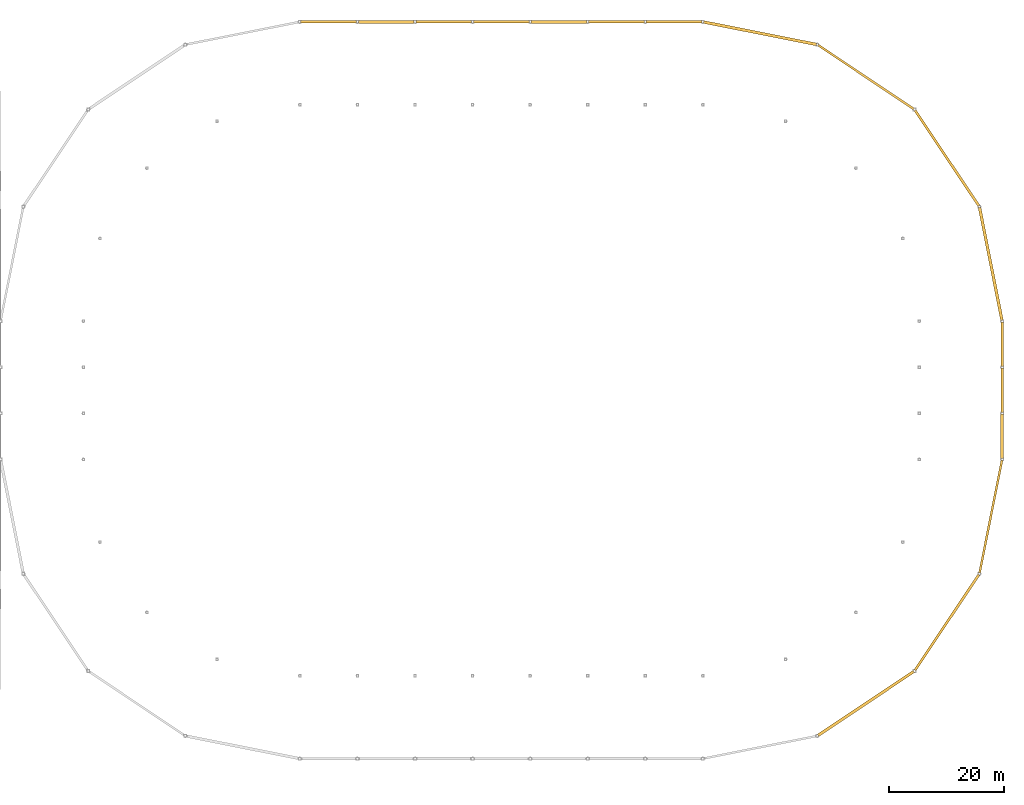
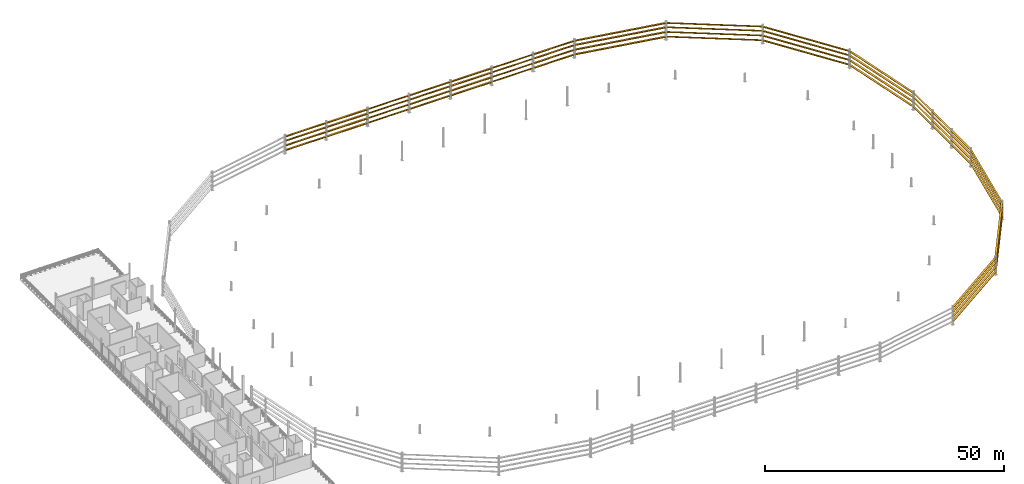
# One storey, part 29 of 29: 68 shading devices.
"""IFC4 building model written with IfcOpenShell, lengths in metres."""

import ifcopenshell
import ifcopenshell.guid

model = None  # the IFC model being written
_history = None  # IfcOwnerHistory: only IFC2X3 demands one
_inside = {}  # id of a spatial element -> (the spatial element, [elements in it])
_under = {}  # id of a project, library or spatial element -> (it, [spatial elements below it])
_declared = {}  # id of a project -> (the project, [libraries it declares])
_typed = {}  # id of a type object -> (the type object, [elements of that type])
_made_of = {}  # id of a material, layer set ... -> (it, [elements and type objects made of it])


def new_model(schema):
    """Start an empty IFC model of exactly this schema.

    Asked for "IFC4X3", IfcOpenShell would pick the latest addendum, in which some entities
    have other attributes; the version numbers below select the first issue.
    IFC2X3 requires an IfcOwnerHistory on every rooted entity: one is made here for all.
    """
    global model, _history
    if schema == "IFC4X3":
        model = ifcopenshell.file(schema_version=(4, 3, 0, 0))
    else:
        model = ifcopenshell.file(schema=schema)
    _inside.clear()
    _under.clear()
    _declared.clear()
    _typed.clear()
    _made_of.clear()
    _history = None
    if model.schema == "IFC2X3":
        org = make("IfcOrganization", Name="unknown")
        user = make(
            "IfcPersonAndOrganization",
            ThePerson=make("IfcPerson", FamilyName="unknown"),
            TheOrganization=org,
        )
        app = make(
            "IfcApplication",
            ApplicationDeveloper=org,
            Version="unknown",
            ApplicationFullName="unknown",
            ApplicationIdentifier="unknown",
        )
        _history = make(
            "IfcOwnerHistory",
            OwningUser=user,
            OwningApplication=app,
            ChangeAction="ADDED",
            CreationDate=0,
        )
    return model


def make(cls, **values):
    """One entity of the class cls with the attributes given. An attribute that is None is left unset."""
    return model.create_entity(
        cls, **{name: value for name, value in values.items() if value is not None}
    )


def rooted(cls, **values):
    """An entity with a GlobalId (a new one), such as an element, a storey or a relation."""
    return make(cls, GlobalId=ifcopenshell.guid.new(), OwnerHistory=_history, **values)


def si_unit(unit_type, name, prefix=None):
    """IfcSIUnit, for example si_unit("LENGTHUNIT", "METRE", prefix="MILLI")."""
    return make("IfcSIUnit", UnitType=unit_type, Prefix=prefix, Name=name)


def assignment(units):
    """IfcUnitAssignment: the units of a project."""
    return None if units is None else make("IfcUnitAssignment", Units=units)


def point(xyz):
    """IfcCartesianPoint."""
    return None if xyz is None else make("IfcCartesianPoint", Coordinates=xyz)


def direction(xyz):
    """IfcDirection."""
    return None if xyz is None else make("IfcDirection", DirectionRatios=xyz)


def frame(location, z_axis=None, x_axis=None):
    """IfcAxis2Placement3D, a coordinate frame: its origin and axes. An axis left out is left unset."""
    return make(
        "IfcAxis2Placement3D",
        Location=point(location),
        Axis=direction(z_axis),
        RefDirection=direction(x_axis),
    )


def frame_2d(location, x_axis=None):
    """IfcAxis2Placement2D, a coordinate frame in the plane: its origin and x axis."""
    return make(
        "IfcAxis2Placement2D", Location=point(location), RefDirection=direction(x_axis)
    )


def origin():
    """The frame at (0, 0, 0) with its axes left unset."""
    return frame((0.0, 0.0, 0.0))


def origin_2d():
    """The frame at (0, 0) in the plane with its x axis left unset."""
    return frame_2d((0.0, 0.0))


def place(relative_to, where):
    """IfcLocalPlacement: puts the frame where relative to a parent placement (None: the world)."""
    return make(
        "IfcLocalPlacement", PlacementRelTo=relative_to, RelativePlacement=where
    )


def context(
    kind, dimensions, precision=None, world=None, true_north=None, identifier=None
):
    """IfcGeometricRepresentationContext, for example the 3D "Model" context."""
    return make(
        "IfcGeometricRepresentationContext",
        ContextIdentifier=identifier,
        ContextType=kind,
        CoordinateSpaceDimension=dimensions,
        Precision=precision,
        WorldCoordinateSystem=world,
        TrueNorth=true_north,
    )


def subcontext(parent, identifier, kind, view, scale=None):
    """IfcGeometricRepresentationSubContext, for example "Body" below "Model"."""
    return make(
        "IfcGeometricRepresentationSubContext",
        ContextIdentifier=identifier,
        ContextType=kind,
        ParentContext=parent,
        TargetScale=scale,
        TargetView=view,
    )


def project(units=None, contexts=None):
    """IfcProject with its units and contexts."""
    return rooted(
        "IfcProject",
        Name="project",
        RepresentationContexts=contexts,
        UnitsInContext=assignment(units),
    )


def spatial(cls, under=None, at=None, **own):
    """A site, building, storey or space (cls), placed at a placement, below another one or the project."""
    s = rooted(cls, ObjectPlacement=at, **own)
    if under is not None:
        _under.setdefault(under.id(), (under, []))[1].append(s)
    return s


def profile(cls, at=None, kind="AREA", **sizes):
    """A parametric profile (cls). Its sizes go by their IFC names, for example OverallWidth=200.0."""
    return make(cls, ProfileType=kind, Position=at, **sizes)


def rectangle(**sizes):
    """IfcRectangleProfileDef."""
    return profile("IfcRectangleProfileDef", **sizes)


def extrude(swept, where, along, depth):
    """IfcExtrudedAreaSolid: the profile swept, set in the frame where, extruded along a direction by depth."""
    return make(
        "IfcExtrudedAreaSolid",
        SweptArea=swept,
        Position=where,
        ExtrudedDirection=direction(along),
        Depth=depth,
    )


def shape(context_of_items, identifier, shape_type, items):
    """IfcShapeRepresentation: the items that make up one representation, for example the "Body"."""
    return make(
        "IfcShapeRepresentation",
        ContextOfItems=context_of_items,
        RepresentationIdentifier=identifier,
        RepresentationType=shape_type,
        Items=items,
    )


def material(Name=None, Category=None):
    """IfcMaterial."""
    return make("IfcMaterial", Name=Name, Category=Category)


def made_of(thing, what):
    """Note that an element or type object is made of a material, layer set ...; save() writes the relation."""
    if what is not None:
        _made_of.setdefault(what.id(), (what, []))[1].append(thing)
    return thing


def type_object(cls, material=None, **own):
    """A type object (cls), such as IfcWallType, which elements share."""
    return made_of(rooted(cls, **own), material)


def element(
    cls,
    number,
    at=None,
    inside=None,
    cuts=None,
    type_object=None,
    material=None,
    context=None,
    identifier="Body",
    shape_type=None,
    held_by="IfcProductDefinitionShape",
    body=None,
    shapes=None,
    **own,
):
    """One element of the class cls, such as IfcWall. Its Tag is "e" and its number.

    at: its placement. inside: the storey or other place that contains it. cuts: it is an
    opening in that element (IfcRelVoidsElement). A single representation is given by context,
    identifier, shape_type and body (its items); several are given by shapes. held_by: the class
    of the entity that holds the representations. save() writes the other relations.
    """
    e = rooted(cls, Tag="e%d" % number, ObjectPlacement=at, **own)
    if body is not None:
        shapes = [shape(context, identifier, shape_type, body)]
    if shapes is not None:
        e.Representation = make(held_by, Representations=shapes)
    if inside is not None:
        _inside.setdefault(inside.id(), (inside, []))[1].append(e)
    if cuts is not None:
        rooted(
            "IfcRelVoidsElement", RelatingBuildingElement=cuts, RelatedOpeningElement=e
        )
    if type_object is not None:
        _typed.setdefault(type_object.id(), (type_object, []))[1].append(e)
    return made_of(e, material)


def aggregate(whole, parts):
    """IfcRelAggregates: a whole, such as a stair, and the parts it consists of."""
    return rooted("IfcRelAggregates", RelatingObject=whole, RelatedObjects=parts)


def save(model, path):
    """Write the relations noted so far, then the file.

    IfcRelAggregates (storeys below a building ...), IfcRelContainedInSpatialStructure (elements
    in a storey), IfcRelDefinesByType, IfcRelAssociatesMaterial and IfcRelDeclares: one each for
    every whole, place, type object, material and project.
    """
    for whole, parts in _under.values():
        aggregate(whole, parts)
    for where, things in _inside.values():
        rooted(
            "IfcRelContainedInSpatialStructure",
            RelatedElements=things,
            RelatingStructure=where,
        )
    for kind, things in _typed.values():
        rooted("IfcRelDefinesByType", RelatedObjects=things, RelatingType=kind)
    for what, things in _made_of.values():
        rooted("IfcRelAssociatesMaterial", RelatedObjects=things, RelatingMaterial=what)
    for by, libraries in _declared.values():
        rooted("IfcRelDeclares", RelatingContext=by, RelatedDefinitions=libraries)
    model.write(path)


model = new_model("IFC4")

# Units and contexts
model_context = context("Model", 3, precision=1e-05, world=origin(), true_north=direction((0.0, 1.0)))
body_context = subcontext(model_context, "Body", "Model", "MODEL_VIEW")
ifc_project = project(units=[si_unit("LENGTHUNIT", "METRE"), si_unit("AREAUNIT", "SQUARE_METRE"), si_unit("VOLUMEUNIT", "CUBIC_METRE"), si_unit("PLANEANGLEUNIT", "RADIAN"), si_unit("MASSUNIT", "GRAM", prefix="KILO")], contexts=[model_context])

# Site, building, storey
site_placement = place(None, origin())
site = spatial("IfcSite", under=ifc_project, at=site_placement, CompositionType="ELEMENT")
building_placement = place(site_placement, origin())
building = spatial("IfcBuilding", under=site, at=building_placement, Name="Candeia Ridge Stadium", CompositionType="ELEMENT")
storey_placement = place(building_placement, frame((0.0, 0.0, 27.0)))
storey = spatial("IfcBuildingStorey", under=building, at=storey_placement, Name="L05", CompositionType="ELEMENT", Elevation=27.0)

# Shading devices
ifc_material = material(Name="Aluminium Anodized Warm Bronze", Category="aluminium")
shading_device_type_1 = type_object("IfcShadingDeviceType", Name="Weathered Bronze Horizontal Solar Rib 380x85", PredefinedType="JALOUSIE", material=ifc_material)
for number, where, z_axis, x_axis, name in (
    (1, (126.0, 147.0, 0.757568359375), (0.0, 0.0, 1.0), (-1.0, 0.0, 0.0), "Upper bowl horizontal solar rib L05 bay 02-1"),
    (2, (126.0, 147.0, 1.95751953125), (0.0, 0.0, 1.0), (-1.0, 0.0, 0.0), "Upper bowl horizontal solar rib L05 bay 02-2"),
    (3, (126.0, 147.0, 3.157470703125), (0.0, 0.0, 1.0), (-1.0, 0.0, 0.0), "Upper bowl horizontal solar rib L05 bay 02-3"),
    (4, (126.0, 147.0, 4.257568359375), (0.0, 0.0, 1.0), (-1.0, 0.0, 0.0), "Upper bowl horizontal solar rib L05 bay 02-4"),
    (5, (96.0, 147.0, 0.757568359375), (0.0, 0.0, 1.0), (-1.0, 0.0, 0.0), "Upper bowl horizontal solar rib L05 bay 05-1"),
    (6, (96.0, 147.0, 1.95751953125), (0.0, 0.0, 1.0), (-1.0, 0.0, 0.0), "Upper bowl horizontal solar rib L05 bay 05-2"),
    (7, (96.0, 147.0, 3.157470703125), (0.0, 0.0, 1.0), (-1.0, 0.0, 0.0), "Upper bowl horizontal solar rib L05 bay 05-3"),
    (8, (96.0, 147.0, 4.257568359375), (0.0, 0.0, 1.0), (-1.0, 0.0, 0.0), "Upper bowl horizontal solar rib L05 bay 05-4"),
):
    element("IfcShadingDevice", number, at=place(storey_placement, frame(where, z_axis=z_axis, x_axis=x_axis)), inside=storey, type_object=shading_device_type_1, Name=name, PredefinedType="JALOUSIE", context=body_context, shape_type="SweptSolid", body=[
        extrude(rectangle(XDim=9.699951171875, YDim=0.3798828125, at=origin_2d()), origin(), (0.0, 0.0, 1.0), 0.0849609375),
    ])
for number, where, z_axis, x_axis, name in (
    (9, (191.020751953125, 61.05029296875, 0.757568359375), (0.0, 0.0, 1.0), (0.195090311899, 0.980785282416, 0.0), "Upper bowl horizontal solar rib L05 bay 29-1"),
    (10, (191.020751953125, 61.05029296875, 1.95751953125), (0.0, 0.0, 1.0), (0.195090311899, 0.980785282416, 0.0), "Upper bowl horizontal solar rib L05 bay 29-2"),
    (11, (191.020751953125, 61.05029296875, 3.157470703125), (0.0, 0.0, 1.0), (0.195090311899, 0.980785282416, 0.0), "Upper bowl horizontal solar rib L05 bay 29-3"),
    (12, (191.020751953125, 61.05029296875, 4.257568359375), (0.0, 0.0, 1.0), (0.195090311899, 0.980785282416, 0.0), "Upper bowl horizontal solar rib L05 bay 29-4"),
):
    element("IfcShadingDevice", number, at=place(storey_placement, frame(where, z_axis=z_axis, x_axis=x_axis)), inside=storey, type_object=shading_device_type_1, Name=name, PredefinedType="JALOUSIE", context=body_context, shape_type="SweptSolid", body=[
        extrude(rectangle(XDim=19.989501953125, YDim=0.3798828125, at=origin_2d()), origin(), (0.0, 0.0, 1.0), 0.0849609375),
    ])
for number, where, z_axis, x_axis, name in (
    (13, (193.0, 91.0, 0.757568359375), (0.0, 0.0, 1.0), (0.0, 1.0, 0.0), "Upper bowl horizontal solar rib L05 bay 32-1"),
    (14, (193.0, 91.0, 1.95751953125), (0.0, 0.0, 1.0), (0.0, 1.0, 0.0), "Upper bowl horizontal solar rib L05 bay 32-2"),
    (15, (193.0, 91.0, 3.157470703125), (0.0, 0.0, 1.0), (0.0, 1.0, 0.0), "Upper bowl horizontal solar rib L05 bay 32-3"),
    (16, (193.0, 91.0, 4.257568359375), (0.0, 0.0, 1.0), (0.0, 1.0, 0.0), "Upper bowl horizontal solar rib L05 bay 32-4"),
):
    element("IfcShadingDevice", number, at=place(storey_placement, frame(where, z_axis=z_axis, x_axis=x_axis)), inside=storey, type_object=shading_device_type_1, Name=name, PredefinedType="JALOUSIE", context=body_context, shape_type="SweptSolid", body=[
        extrude(rectangle(XDim=7.699951171875, YDim=0.3798828125, at=origin_2d()), origin(), (0.0, 0.0, 1.0), 0.0849609375),
    ])
for number, where, z_axis, x_axis, name in (
    (17, (169.33447265625, 137.40576171875, 0.757568359375), (0.0, 0.0, 1.0), (-0.831469626973, 0.555570211063, 0.0), "Upper bowl horizontal solar rib L05 bay 35-1"),
    (18, (169.33447265625, 137.40576171875, 1.95751953125), (0.0, 0.0, 1.0), (-0.831469626973, 0.555570211063, 0.0), "Upper bowl horizontal solar rib L05 bay 35-2"),
    (19, (169.33447265625, 137.40576171875, 3.157470703125), (0.0, 0.0, 1.0), (-0.831469626973, 0.555570211063, 0.0), "Upper bowl horizontal solar rib L05 bay 35-3"),
    (20, (169.33447265625, 137.40576171875, 4.257568359375), (0.0, 0.0, 1.0), (-0.831469626973, 0.555570211063, 0.0), "Upper bowl horizontal solar rib L05 bay 35-4"),
):
    element("IfcShadingDevice", number, at=place(storey_placement, frame(where, z_axis=z_axis, x_axis=x_axis)), inside=storey, type_object=shading_device_type_1, Name=name, PredefinedType="JALOUSIE", context=body_context, shape_type="SweptSolid", body=[
        extrude(rectangle(XDim=19.989501953125, YDim=0.3798828125, at=origin_2d()), origin(), (0.0, 0.0, 1.0), 0.0849609375),
    ])
shading_device_type_2 = type_object("IfcShadingDeviceType", Name="Weathered Bronze Horizontal Solar Rib 440x95", PredefinedType="JALOUSIE", material=ifc_material)
for number, where, z_axis, x_axis, name in (
    (21, (136.0, 147.0, 0.75244140625), (0.0, 0.0, 1.0), (-1.0, 0.0, 0.0), "Upper bowl horizontal solar rib L05 bay 01-1"),
    (22, (136.0, 147.0, 1.95263671875), (0.0, 0.0, 1.0), (-1.0, 0.0, 0.0), "Upper bowl horizontal solar rib L05 bay 01-2"),
    (23, (136.0, 147.0, 3.15234375), (0.0, 0.0, 1.0), (-1.0, 0.0, 0.0), "Upper bowl horizontal solar rib L05 bay 01-3"),
    (24, (136.0, 147.0, 4.25244140625), (0.0, 0.0, 1.0), (-1.0, 0.0, 0.0), "Upper bowl horizontal solar rib L05 bay 01-4"),
    (25, (106.0, 147.0, 0.75244140625), (0.0, 0.0, 1.0), (-1.0, 0.0, 0.0), "Upper bowl horizontal solar rib L05 bay 04-1"),
    (26, (106.0, 147.0, 1.95263671875), (0.0, 0.0, 1.0), (-1.0, 0.0, 0.0), "Upper bowl horizontal solar rib L05 bay 04-2"),
    (27, (106.0, 147.0, 3.15234375), (0.0, 0.0, 1.0), (-1.0, 0.0, 0.0), "Upper bowl horizontal solar rib L05 bay 04-3"),
    (28, (106.0, 147.0, 4.25244140625), (0.0, 0.0, 1.0), (-1.0, 0.0, 0.0), "Upper bowl horizontal solar rib L05 bay 04-4"),
    (29, (76.0, 147.0, 0.75244140625), (0.0, 0.0, 1.0), (-1.0, 0.0, 0.0), "Upper bowl horizontal solar rib L05 bay 07-1"),
    (30, (76.0, 147.0, 1.95263671875), (0.0, 0.0, 1.0), (-1.0, 0.0, 0.0), "Upper bowl horizontal solar rib L05 bay 07-2"),
    (31, (76.0, 147.0, 3.15234375), (0.0, 0.0, 1.0), (-1.0, 0.0, 0.0), "Upper bowl horizontal solar rib L05 bay 07-3"),
    (32, (76.0, 147.0, 4.25244140625), (0.0, 0.0, 1.0), (-1.0, 0.0, 0.0), "Upper bowl horizontal solar rib L05 bay 07-4"),
):
    element("IfcShadingDevice", number, at=place(storey_placement, frame(where, z_axis=z_axis, x_axis=x_axis)), inside=storey, type_object=shading_device_type_2, Name=name, PredefinedType="JALOUSIE", context=body_context, shape_type="SweptSolid", body=[
        extrude(rectangle(XDim=9.699951171875, YDim=0.43994140625, at=origin_2d()), origin(), (0.0, 0.0, 1.0), 0.094970703125),
    ])
for number, where, z_axis, x_axis, name in (
    (33, (183.40576171875, 42.66552734375, 0.75244140625), (0.0, 0.0, 1.0), (0.555570211063, 0.831469626973, 0.0), "Upper bowl horizontal solar rib L05 bay 28-1"),
    (34, (183.40576171875, 42.66552734375, 1.95263671875), (0.0, 0.0, 1.0), (0.555570211063, 0.831469626973, 0.0), "Upper bowl horizontal solar rib L05 bay 28-2"),
    (35, (183.40576171875, 42.66552734375, 3.15234375), (0.0, 0.0, 1.0), (0.555570211063, 0.831469626973, 0.0), "Upper bowl horizontal solar rib L05 bay 28-3"),
    (36, (183.40576171875, 42.66552734375, 4.25244140625), (0.0, 0.0, 1.0), (0.555570211063, 0.831469626973, 0.0), "Upper bowl horizontal solar rib L05 bay 28-4"),
):
    element("IfcShadingDevice", number, at=place(storey_placement, frame(where, z_axis=z_axis, x_axis=x_axis)), inside=storey, type_object=shading_device_type_2, Name=name, PredefinedType="JALOUSIE", context=body_context, shape_type="SweptSolid", body=[
        extrude(rectangle(XDim=19.989501953125, YDim=0.43994140625, at=origin_2d()), origin(), (0.0, 0.0, 1.0), 0.094970703125),
    ])
for number, where, z_axis, x_axis, name in (
    (37, (193.0, 83.0, 0.75244140625), (0.0, 0.0, 1.0), (0.0, 1.0, 0.0), "Upper bowl horizontal solar rib L05 bay 31-1"),
    (38, (193.0, 83.0, 1.95263671875), (0.0, 0.0, 1.0), (0.0, 1.0, 0.0), "Upper bowl horizontal solar rib L05 bay 31-2"),
    (39, (193.0, 83.0, 3.15234375), (0.0, 0.0, 1.0), (0.0, 1.0, 0.0), "Upper bowl horizontal solar rib L05 bay 31-3"),
    (40, (193.0, 83.0, 4.25244140625), (0.0, 0.0, 1.0), (0.0, 1.0, 0.0), "Upper bowl horizontal solar rib L05 bay 31-4"),
):
    element("IfcShadingDevice", number, at=place(storey_placement, frame(where, z_axis=z_axis, x_axis=x_axis)), inside=storey, type_object=shading_device_type_2, Name=name, PredefinedType="JALOUSIE", context=body_context, shape_type="SweptSolid", body=[
        extrude(rectangle(XDim=7.699951171875, YDim=0.43994140625, at=origin_2d()), origin(), (0.0, 0.0, 1.0), 0.094970703125),
    ])
for number, where, z_axis, x_axis, name in (
    (41, (183.40576171875, 123.33447265625, 0.75244140625), (0.0, 0.0, 1.0), (-0.555570211063, 0.831469626973, 0.0), "Upper bowl horizontal solar rib L05 bay 34-1"),
    (42, (183.40576171875, 123.33447265625, 1.95263671875), (0.0, 0.0, 1.0), (-0.555570211063, 0.831469626973, 0.0), "Upper bowl horizontal solar rib L05 bay 34-2"),
    (43, (183.40576171875, 123.33447265625, 3.15234375), (0.0, 0.0, 1.0), (-0.555570211063, 0.831469626973, 0.0), "Upper bowl horizontal solar rib L05 bay 34-3"),
    (44, (183.40576171875, 123.33447265625, 4.25244140625), (0.0, 0.0, 1.0), (-0.555570211063, 0.831469626973, 0.0), "Upper bowl horizontal solar rib L05 bay 34-4"),
):
    element("IfcShadingDevice", number, at=place(storey_placement, frame(where, z_axis=z_axis, x_axis=x_axis)), inside=storey, type_object=shading_device_type_2, Name=name, PredefinedType="JALOUSIE", context=body_context, shape_type="SweptSolid", body=[
        extrude(rectangle(XDim=19.989501953125, YDim=0.43994140625, at=origin_2d()), origin(), (0.0, 0.0, 1.0), 0.094970703125),
    ])
shading_device_type_3 = type_object("IfcShadingDeviceType", Name="Weathered Bronze Horizontal Solar Rib 500x105", PredefinedType="JALOUSIE", material=ifc_material)
for number, where, z_axis, x_axis, name in (
    (45, (116.0, 147.0, 0.74755859375), (0.0, 0.0, 1.0), (-1.0, 0.0, 0.0), "Upper bowl horizontal solar rib L05 bay 03-1"),
    (46, (116.0, 147.0, 1.947509765625), (0.0, 0.0, 1.0), (-1.0, 0.0, 0.0), "Upper bowl horizontal solar rib L05 bay 03-2"),
    (47, (116.0, 147.0, 3.1474609375), (0.0, 0.0, 1.0), (-1.0, 0.0, 0.0), "Upper bowl horizontal solar rib L05 bay 03-3"),
    (48, (116.0, 147.0, 4.24755859375), (0.0, 0.0, 1.0), (-1.0, 0.0, 0.0), "Upper bowl horizontal solar rib L05 bay 03-4"),
    (49, (86.0, 147.0, 0.74755859375), (0.0, 0.0, 1.0), (-1.0, 0.0, 0.0), "Upper bowl horizontal solar rib L05 bay 06-1"),
    (50, (86.0, 147.0, 1.947509765625), (0.0, 0.0, 1.0), (-1.0, 0.0, 0.0), "Upper bowl horizontal solar rib L05 bay 06-2"),
    (51, (86.0, 147.0, 3.1474609375), (0.0, 0.0, 1.0), (-1.0, 0.0, 0.0), "Upper bowl horizontal solar rib L05 bay 06-3"),
    (52, (86.0, 147.0, 4.24755859375), (0.0, 0.0, 1.0), (-1.0, 0.0, 0.0), "Upper bowl horizontal solar rib L05 bay 06-4"),
):
    element("IfcShadingDevice", number, at=place(storey_placement, frame(where, z_axis=z_axis, x_axis=x_axis)), inside=storey, type_object=shading_device_type_3, Name=name, PredefinedType="JALOUSIE", context=body_context, shape_type="SweptSolid", body=[
        extrude(rectangle(XDim=9.699951171875, YDim=0.5, at=origin_2d()), origin(), (0.0, 0.0, 1.0), 0.10498046875),
    ])
for number, where, z_axis, x_axis, name in (
    (53, (169.33447265625, 28.59423828125, 0.74755859375), (0.0, 0.0, 1.0), (0.831469626973, 0.555570211063, 0.0), "Upper bowl horizontal solar rib L05 bay 27-1"),
    (54, (169.33447265625, 28.59423828125, 1.947509765625), (0.0, 0.0, 1.0), (0.831469626973, 0.555570211063, 0.0), "Upper bowl horizontal solar rib L05 bay 27-2"),
    (55, (169.33447265625, 28.59423828125, 3.1474609375), (0.0, 0.0, 1.0), (0.831469626973, 0.555570211063, 0.0), "Upper bowl horizontal solar rib L05 bay 27-3"),
    (56, (169.33447265625, 28.59423828125, 4.24755859375), (0.0, 0.0, 1.0), (0.831469626973, 0.555570211063, 0.0), "Upper bowl horizontal solar rib L05 bay 27-4"),
):
    element("IfcShadingDevice", number, at=place(storey_placement, frame(where, z_axis=z_axis, x_axis=x_axis)), inside=storey, type_object=shading_device_type_3, Name=name, PredefinedType="JALOUSIE", context=body_context, shape_type="SweptSolid", body=[
        extrude(rectangle(XDim=19.989501953125, YDim=0.5, at=origin_2d()), origin(), (0.0, 0.0, 1.0), 0.10498046875),
    ])
for number, where, z_axis, x_axis, name in (
    (57, (193.0, 75.0, 0.74755859375), (0.0, 0.0, 1.0), (0.0, 1.0, 0.0), "Upper bowl horizontal solar rib L05 bay 30-1"),
    (58, (193.0, 75.0, 1.947509765625), (0.0, 0.0, 1.0), (0.0, 1.0, 0.0), "Upper bowl horizontal solar rib L05 bay 30-2"),
    (59, (193.0, 75.0, 3.1474609375), (0.0, 0.0, 1.0), (0.0, 1.0, 0.0), "Upper bowl horizontal solar rib L05 bay 30-3"),
    (60, (193.0, 75.0, 4.24755859375), (0.0, 0.0, 1.0), (0.0, 1.0, 0.0), "Upper bowl horizontal solar rib L05 bay 30-4"),
):
    element("IfcShadingDevice", number, at=place(storey_placement, frame(where, z_axis=z_axis, x_axis=x_axis)), inside=storey, type_object=shading_device_type_3, Name=name, PredefinedType="JALOUSIE", context=body_context, shape_type="SweptSolid", body=[
        extrude(rectangle(XDim=7.699951171875, YDim=0.5, at=origin_2d()), origin(), (0.0, 0.0, 1.0), 0.10498046875),
    ])
for number, where, z_axis, x_axis, name in (
    (61, (191.020751953125, 104.94970703125, 0.74755859375), (0.0, 0.0, 1.0), (-0.195090311899, 0.980785282416, 0.0), "Upper bowl horizontal solar rib L05 bay 33-1"),
    (62, (191.020751953125, 104.94970703125, 1.947509765625), (0.0, 0.0, 1.0), (-0.195090311899, 0.980785282416, 0.0), "Upper bowl horizontal solar rib L05 bay 33-2"),
    (63, (191.020751953125, 104.94970703125, 3.1474609375), (0.0, 0.0, 1.0), (-0.195090311899, 0.980785282416, 0.0), "Upper bowl horizontal solar rib L05 bay 33-3"),
    (64, (191.020751953125, 104.94970703125, 4.24755859375), (0.0, 0.0, 1.0), (-0.195090311899, 0.980785282416, 0.0), "Upper bowl horizontal solar rib L05 bay 33-4"),
    (65, (150.94970703125, 145.020751953125, 0.74755859375), (0.0, 0.0, 1.0), (-0.980785282416, 0.195090311899, 0.0), "Upper bowl horizontal solar rib L05 bay 36-1"),
    (66, (150.94970703125, 145.020751953125, 1.947509765625), (0.0, 0.0, 1.0), (-0.980785282416, 0.195090311899, 0.0), "Upper bowl horizontal solar rib L05 bay 36-2"),
    (67, (150.94970703125, 145.020751953125, 3.1474609375), (0.0, 0.0, 1.0), (-0.980785282416, 0.195090311899, 0.0), "Upper bowl horizontal solar rib L05 bay 36-3"),
    (68, (150.94970703125, 145.020751953125, 4.24755859375), (0.0, 0.0, 1.0), (-0.980785282416, 0.195090311899, 0.0), "Upper bowl horizontal solar rib L05 bay 36-4"),
):
    element("IfcShadingDevice", number, at=place(storey_placement, frame(where, z_axis=z_axis, x_axis=x_axis)), inside=storey, type_object=shading_device_type_3, Name=name, PredefinedType="JALOUSIE", context=body_context, shape_type="SweptSolid", body=[
        extrude(rectangle(XDim=19.989501953125, YDim=0.5, at=origin_2d()), origin(), (0.0, 0.0, 1.0), 0.10498046875),
    ])

save(model, "model.ifc")
